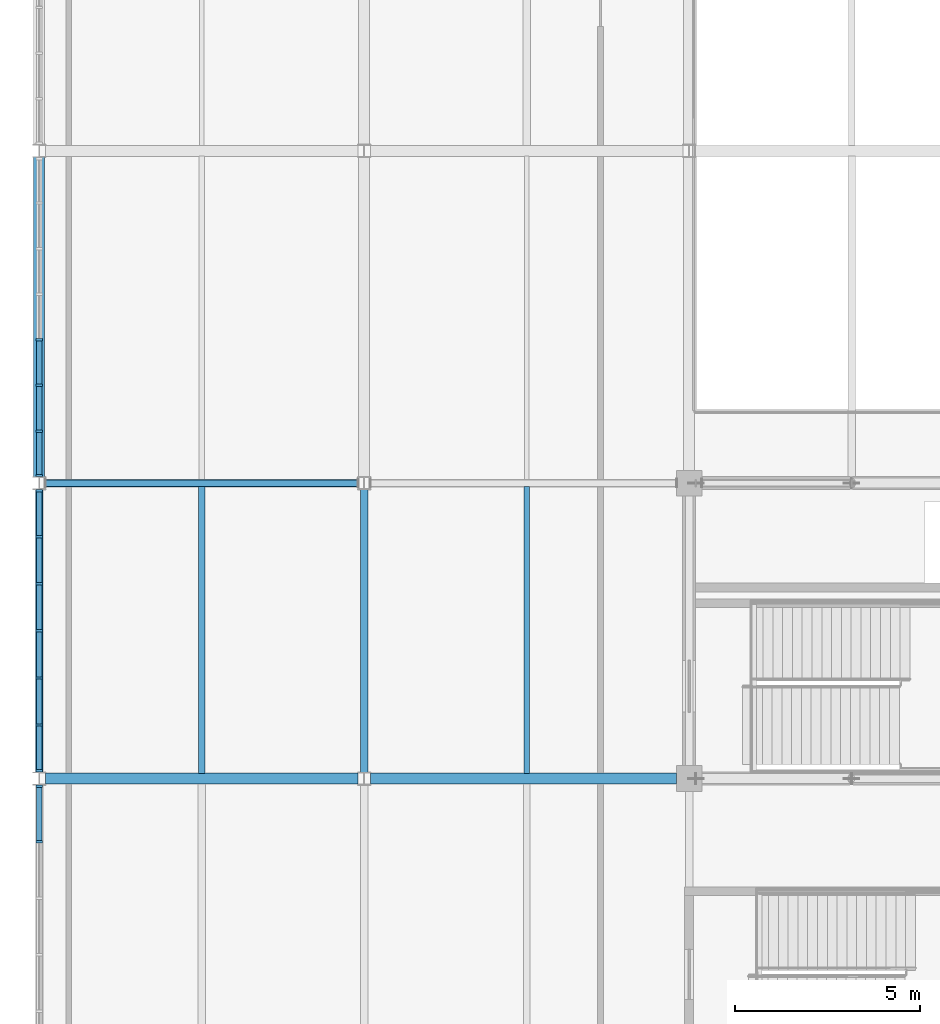
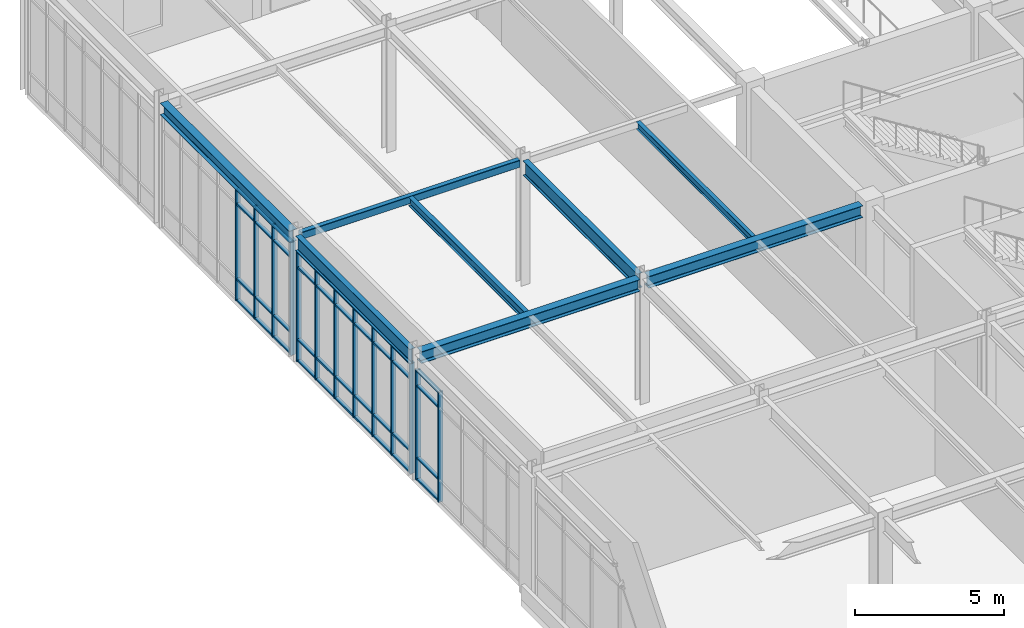
# One storey, part 63 of 184: 53 members, 8 beams, 3 elements without a shape of their own.
"""IFC4 building model written with IfcOpenShell, lengths in metres."""

from ifc_helpers import new_model, si_unit, direction, frame, origin, origin_2d, place, context, subcontext, project, spatial, rectangle, hollow_rectangle, i_section, extrude, material, material_profile, profile_set, type_object, element, aggregate, save


model = new_model("IFC4")

# Units and contexts
model_context = context("Model", 3, precision=1e-05, world=origin(), true_north=direction((0.0, 1.0)))
body_context = subcontext(model_context, "Body", "Model", "MODEL_VIEW")
ifc_project = project(units=[si_unit("LENGTHUNIT", "METRE"), si_unit("AREAUNIT", "SQUARE_METRE"), si_unit("VOLUMEUNIT", "CUBIC_METRE"), si_unit("PLANEANGLEUNIT", "RADIAN"), si_unit("MASSUNIT", "GRAM", prefix="KILO")], contexts=[model_context])

# Site, building, storey
site_placement = place(None, origin())
site = spatial("IfcSite", under=ifc_project, at=site_placement, CompositionType="ELEMENT")
building_placement = place(site_placement, origin())
building = spatial("IfcBuilding", under=site, at=building_placement, Name="Zhaolan Boulevard Law Courts", CompositionType="ELEMENT")
storey_placement = place(building_placement, frame((0.0, 0.0, 5.39990234375)))
storey = spatial("IfcBuildingStorey", under=building, at=storey_placement, Name="L01", CompositionType="ELEMENT", Elevation=5.39990234375)

# Curtain wall, members
ifc_material_1 = material(Name="Thermally broken aluminium and low-E glazing", Category="aluminium")
curtain_wall_type_1 = type_object("IfcCurtainWallType", Name="CURTAIN WALL M11", PredefinedType="USERDEFINED", material=ifc_material_1)
curtain_wall_1_placement = place(storey_placement, origin())
curtain_wall_1 = element("IfcCurtainWall", 1, at=curtain_wall_1_placement, inside=storey, type_object=curtain_wall_type_1, Name="Curtain Wall CW-L01-107", ObjectType="CURTAIN WALL", PredefinedType="USERDEFINED")
ifc_material_2 = material(Name="Fluorocarbon-coated aluminium 6063-T6", Category="aluminium")
ifc_material_profile_1 = material_profile(ifc_material_2, rectangle(XDim=0.179931640625, YDim=0.06494140625, at=origin_2d()), Name="AL65x180")
ifc_profile_set_1 = profile_set([ifc_material_profile_1], Name="Fluorocarbon-coated aluminium 6063-T6")
member_type_1 = type_object("IfcMemberType", Name="CWMULLION 65X180", PredefinedType="MULLION", material=ifc_profile_set_1)
member_1_placement = place(storey_placement, frame((0.0, 85.79052734375, 0.0), z_axis=(0.0, 0.0, 1.0), x_axis=(1.0, 0.0, 0.0)))
member_1 = element("IfcMember", 2, at=member_1_placement, type_object=member_type_1, Name="CW-L01-107 mullion 1", PredefinedType="MULLION", context=body_context, shape_type="SweptSolid", body=[
    extrude(rectangle(XDim=0.179931640625, YDim=0.06494140625, at=origin_2d()), origin(), (0.0, 0.0, 1.0), 4.503173828125),
])
member_2_placement = place(storey_placement, frame((0.0, 84.293701171875, 0.0), z_axis=(0.0, 0.0, 1.0), x_axis=(1.0, 0.0, 0.0)))
member_2 = element("IfcMember", 3, at=member_2_placement, type_object=member_type_1, Name="CW-L01-107 mullion 2", PredefinedType="MULLION", context=body_context, shape_type="SweptSolid", body=[
    extrude(rectangle(XDim=0.179931640625, YDim=0.06494140625, at=origin_2d()), origin(), (0.0, 0.0, 1.0), 4.503173828125),
])

ifc_material_3 = material(Name="Thermally broken aluminium and low-E glazing", Category="aluminium")
curtain_wall_type_2 = type_object("IfcCurtainWallType", Name="CURTAIN WALL M12", PredefinedType="USERDEFINED", material=ifc_material_3)
curtain_wall_2_placement = place(storey_placement, origin())
curtain_wall_2 = element("IfcCurtainWall", 4, at=curtain_wall_2_placement, inside=storey, type_object=curtain_wall_type_2, Name="Curtain Wall CW-L01-108", ObjectType="CURTAIN WALL", PredefinedType="USERDEFINED")
member_3_placement = place(storey_placement, frame((0.0, 93.79052734375, 0.0), z_axis=(0.0, 0.0, 1.0), x_axis=(1.0, 0.0, 0.0)))
member_3 = element("IfcMember", 5, at=member_3_placement, type_object=member_type_1, Name="CW-L01-108 mullion 1", PredefinedType="MULLION", context=body_context, shape_type="SweptSolid", body=[
    extrude(rectangle(XDim=0.179931640625, YDim=0.06494140625, at=origin_2d()), origin(), (0.0, 0.0, 1.0), 4.503173828125),
])
member_4_placement = place(storey_placement, frame((0.0, 92.548583984375, 0.0), z_axis=(0.0, 0.0, 1.0), x_axis=(1.0, 0.0, 0.0)))
member_4 = element("IfcMember", 6, at=member_4_placement, type_object=member_type_1, Name="CW-L01-108 mullion 2", PredefinedType="MULLION", context=body_context, shape_type="SweptSolid", body=[
    extrude(rectangle(XDim=0.179931640625, YDim=0.06494140625, at=origin_2d()), origin(), (0.0, 0.0, 1.0), 4.503173828125),
])
member_5_placement = place(storey_placement, frame((0.0, 91.2744140625, 0.0), z_axis=(0.0, 0.0, 1.0), x_axis=(1.0, 0.0, 0.0)))
member_5 = element("IfcMember", 7, at=member_5_placement, type_object=member_type_1, Name="CW-L01-108 mullion 3", PredefinedType="MULLION", context=body_context, shape_type="SweptSolid", body=[
    extrude(rectangle(XDim=0.179931640625, YDim=0.06494140625, at=origin_2d()), origin(), (0.0, 0.0, 1.0), 4.503173828125),
])
member_6_placement = place(storey_placement, frame((0.0, 90.0, 0.0), z_axis=(0.0, 0.0, 1.0), x_axis=(1.0, 0.0, 0.0)))
member_6 = element("IfcMember", 8, at=member_6_placement, type_object=member_type_1, Name="CW-L01-108 mullion 4", PredefinedType="MULLION", context=body_context, shape_type="SweptSolid", body=[
    extrude(rectangle(XDim=0.179931640625, YDim=0.06494140625, at=origin_2d()), origin(), (0.0, 0.0, 1.0), 4.503173828125),
])
member_7_placement = place(storey_placement, frame((0.0, 88.7255859375, 0.0), z_axis=(0.0, 0.0, 1.0), x_axis=(1.0, 0.0, 0.0)))
member_7 = element("IfcMember", 9, at=member_7_placement, type_object=member_type_1, Name="CW-L01-108 mullion 5", PredefinedType="MULLION", context=body_context, shape_type="SweptSolid", body=[
    extrude(rectangle(XDim=0.179931640625, YDim=0.06494140625, at=origin_2d()), origin(), (0.0, 0.0, 1.0), 4.503173828125),
])
member_8_placement = place(storey_placement, frame((0.0, 87.451416015625, 0.0), z_axis=(0.0, 0.0, 1.0), x_axis=(1.0, 0.0, 0.0)))
member_8 = element("IfcMember", 10, at=member_8_placement, type_object=member_type_1, Name="CW-L01-108 mullion 6", PredefinedType="MULLION", context=body_context, shape_type="SweptSolid", body=[
    extrude(rectangle(XDim=0.179931640625, YDim=0.06494140625, at=origin_2d()), origin(), (0.0, 0.0, 1.0), 4.503173828125),
])
member_9_placement = place(storey_placement, frame((0.0, 86.20947265625, 0.0), z_axis=(0.0, 0.0, 1.0), x_axis=(1.0, 0.0, 0.0)))
member_9 = element("IfcMember", 11, at=member_9_placement, type_object=member_type_1, Name="CW-L01-108 mullion 7", PredefinedType="MULLION", context=body_context, shape_type="SweptSolid", body=[
    extrude(rectangle(XDim=0.179931640625, YDim=0.06494140625, at=origin_2d()), origin(), (0.0, 0.0, 1.0), 4.503173828125),
])

ifc_material_4 = material(Name="Thermally broken aluminium and low-E glazing", Category="aluminium")
curtain_wall_type_3 = type_object("IfcCurtainWallType", Name="CURTAIN WALL M13", PredefinedType="USERDEFINED", material=ifc_material_4)
curtain_wall_3_placement = place(storey_placement, origin())
curtain_wall_3 = element("IfcCurtainWall", 12, at=curtain_wall_3_placement, inside=storey, type_object=curtain_wall_type_3, Name="Curtain Wall CW-L01-109", ObjectType="CURTAIN WALL", PredefinedType="USERDEFINED")
member_10_placement = place(storey_placement, frame((0.0, 97.88232421875, 0.0), z_axis=(0.0, 0.0, 1.0), x_axis=(1.0, 0.0, 0.0)))
member_10 = element("IfcMember", 13, at=member_10_placement, type_object=member_type_1, Name="CW-L01-109 mullion 5", PredefinedType="MULLION", context=body_context, shape_type="SweptSolid", body=[
    extrude(rectangle(XDim=0.179931640625, YDim=0.06494140625, at=origin_2d()), origin(), (0.0, 0.0, 1.0), 4.62109375),
])
member_11_placement = place(storey_placement, frame((0.0, 96.647216796875, 0.0), z_axis=(0.0, 0.0, 1.0), x_axis=(1.0, 0.0, 0.0)))
member_11 = element("IfcMember", 14, at=member_11_placement, type_object=member_type_1, Name="CW-L01-109 mullion 6", PredefinedType="MULLION", context=body_context, shape_type="SweptSolid", body=[
    extrude(rectangle(XDim=0.179931640625, YDim=0.06494140625, at=origin_2d()), origin(), (0.0, 0.0, 1.0), 4.62109375),
])
member_12_placement = place(storey_placement, frame((0.0, 95.412109375, 0.0), z_axis=(0.0, 0.0, 1.0), x_axis=(1.0, 0.0, 0.0)))
member_12 = element("IfcMember", 15, at=member_12_placement, type_object=member_type_1, Name="CW-L01-109 mullion 7", PredefinedType="MULLION", context=body_context, shape_type="SweptSolid", body=[
    extrude(rectangle(XDim=0.179931640625, YDim=0.06494140625, at=origin_2d()), origin(), (0.0, 0.0, 1.0), 4.62109375),
])
member_13_placement = place(storey_placement, frame((0.0, 94.20947265625, 0.0), z_axis=(0.0, 0.0, 1.0), x_axis=(1.0, 0.0, 0.0)))
member_13 = element("IfcMember", 16, at=member_13_placement, type_object=member_type_1, Name="CW-L01-109 mullion 8", PredefinedType="MULLION", context=body_context, shape_type="SweptSolid", body=[
    extrude(rectangle(XDim=0.179931640625, YDim=0.06494140625, at=origin_2d()), origin(), (0.0, 0.0, 1.0), 4.62109375),
])

# Member
ifc_material_5 = material(Name="Fluorocarbon-coated aluminium 6063-T6", Category="aluminium")
ifc_material_profile_2 = material_profile(ifc_material_5, rectangle(XDim=0.139892578125, YDim=0.06494140625, at=origin_2d()), Name="AL65x140")
ifc_profile_set_2 = profile_set([ifc_material_profile_2], Name="Fluorocarbon-coated aluminium 6063-T6")
member_type_2 = type_object("IfcMemberType", Name="CWTRANSOM 65X140", PredefinedType="USERDEFINED", material=ifc_profile_set_2)
member_14_placement = place(storey_placement, frame((0.0, 85.758056640625, 0.03271484375), z_axis=(0.0, -1.0, 0.0), x_axis=(1.0, 0.0, 0.0)))
member_14 = element("IfcMember", 17, at=member_14_placement, type_object=member_type_2, Name="CW-L01-107 transom 1.1", ObjectType="TRANSOM", PredefinedType="USERDEFINED", context=body_context, shape_type="SweptSolid", body=[
    extrude(rectangle(XDim=0.139892578125, YDim=0.06494140625, at=origin_2d()), origin(), (0.0, 0.0, 1.0), 1.431640625),
])

member_15_placement = place(storey_placement, frame((0.0, 85.758056640625, 0.900146484375), z_axis=(0.0, -1.0, 0.0), x_axis=(1.0, 0.0, 0.0)))
member_15 = element("IfcMember", 18, at=member_15_placement, type_object=member_type_2, Name="CW-L01-107 transom 1.2", ObjectType="TRANSOM", PredefinedType="USERDEFINED", context=body_context, shape_type="SweptSolid", body=[
    extrude(rectangle(XDim=0.139892578125, YDim=0.06494140625, at=origin_2d()), origin(), (0.0, 0.0, 1.0), 1.431640625),
])

member_16_placement = place(storey_placement, frame((0.0, 85.758056640625, 3.85302734375), z_axis=(0.0, -1.0, 0.0), x_axis=(1.0, 0.0, 0.0)))
member_16 = element("IfcMember", 19, at=member_16_placement, type_object=member_type_2, Name="CW-L01-107 transom 1.3", ObjectType="TRANSOM", PredefinedType="USERDEFINED", context=body_context, shape_type="SweptSolid", body=[
    extrude(rectangle(XDim=0.139892578125, YDim=0.06494140625, at=origin_2d()), origin(), (0.0, 0.0, 1.0), 1.431640625),
])

member_17_placement = place(storey_placement, frame((0.0, 85.758056640625, 4.470703125), z_axis=(0.0, -1.0, 0.0), x_axis=(1.0, 0.0, 0.0)))
member_17 = element("IfcMember", 20, at=member_17_placement, type_object=member_type_2, Name="CW-L01-107 transom 1.4", ObjectType="TRANSOM", PredefinedType="USERDEFINED", context=body_context, shape_type="SweptSolid", body=[
    extrude(rectangle(XDim=0.139892578125, YDim=0.06494140625, at=origin_2d()), origin(), (0.0, 0.0, 1.0), 1.431640625),
])

aggregate(curtain_wall_1, [member_1, member_2, member_14, member_15, member_16, member_17])

member_18_placement = place(storey_placement, frame((0.0, 93.758056640625, 0.03271484375), z_axis=(0.0, -1.0, 0.0), x_axis=(1.0, 0.0, 0.0)))
member_18 = element("IfcMember", 21, at=member_18_placement, type_object=member_type_2, Name="CW-L01-108 transom 1.1", ObjectType="TRANSOM", PredefinedType="USERDEFINED", context=body_context, shape_type="SweptSolid", body=[
    extrude(rectangle(XDim=0.139892578125, YDim=0.06494140625, at=origin_2d()), origin(), (0.0, 0.0, 1.0), 1.177001953125),
])

member_19_placement = place(storey_placement, frame((0.0, 93.758056640625, 0.900146484375), z_axis=(0.0, -1.0, 0.0), x_axis=(1.0, 0.0, 0.0)))
member_19 = element("IfcMember", 22, at=member_19_placement, type_object=member_type_2, Name="CW-L01-108 transom 1.2", ObjectType="TRANSOM", PredefinedType="USERDEFINED", context=body_context, shape_type="SweptSolid", body=[
    extrude(rectangle(XDim=0.139892578125, YDim=0.06494140625, at=origin_2d()), origin(), (0.0, 0.0, 1.0), 1.177001953125),
])

member_20_placement = place(storey_placement, frame((0.0, 93.758056640625, 3.85302734375), z_axis=(0.0, -1.0, 0.0), x_axis=(1.0, 0.0, 0.0)))
member_20 = element("IfcMember", 23, at=member_20_placement, type_object=member_type_2, Name="CW-L01-108 transom 1.3", ObjectType="TRANSOM", PredefinedType="USERDEFINED", context=body_context, shape_type="SweptSolid", body=[
    extrude(rectangle(XDim=0.139892578125, YDim=0.06494140625, at=origin_2d()), origin(), (0.0, 0.0, 1.0), 1.177001953125),
])

member_21_placement = place(storey_placement, frame((0.0, 93.758056640625, 4.470703125), z_axis=(0.0, -1.0, 0.0), x_axis=(1.0, 0.0, 0.0)))
member_21 = element("IfcMember", 24, at=member_21_placement, type_object=member_type_2, Name="CW-L01-108 transom 1.4", ObjectType="TRANSOM", PredefinedType="USERDEFINED", context=body_context, shape_type="SweptSolid", body=[
    extrude(rectangle(XDim=0.139892578125, YDim=0.06494140625, at=origin_2d()), origin(), (0.0, 0.0, 1.0), 1.177001953125),
])

member_22_placement = place(storey_placement, frame((0.0, 92.51611328125, 0.03271484375), z_axis=(0.0, -1.0, 0.0), x_axis=(1.0, 0.0, 0.0)))
member_22 = element("IfcMember", 25, at=member_22_placement, type_object=member_type_2, Name="CW-L01-108 transom 2.1", ObjectType="TRANSOM", PredefinedType="USERDEFINED", context=body_context, shape_type="SweptSolid", body=[
    extrude(rectangle(XDim=0.139892578125, YDim=0.06494140625, at=origin_2d()), origin(), (0.0, 0.0, 1.0), 1.209228515625),
])

member_23_placement = place(storey_placement, frame((0.0, 92.51611328125, 0.900146484375), z_axis=(0.0, -1.0, 0.0), x_axis=(1.0, 0.0, 0.0)))
member_23 = element("IfcMember", 26, at=member_23_placement, type_object=member_type_2, Name="CW-L01-108 transom 2.2", ObjectType="TRANSOM", PredefinedType="USERDEFINED", context=body_context, shape_type="SweptSolid", body=[
    extrude(rectangle(XDim=0.139892578125, YDim=0.06494140625, at=origin_2d()), origin(), (0.0, 0.0, 1.0), 1.209228515625),
])

member_24_placement = place(storey_placement, frame((0.0, 92.51611328125, 3.85302734375), z_axis=(0.0, -1.0, 0.0), x_axis=(1.0, 0.0, 0.0)))
member_24 = element("IfcMember", 27, at=member_24_placement, type_object=member_type_2, Name="CW-L01-108 transom 2.3", ObjectType="TRANSOM", PredefinedType="USERDEFINED", context=body_context, shape_type="SweptSolid", body=[
    extrude(rectangle(XDim=0.139892578125, YDim=0.06494140625, at=origin_2d()), origin(), (0.0, 0.0, 1.0), 1.209228515625),
])

member_25_placement = place(storey_placement, frame((0.0, 92.51611328125, 4.470703125), z_axis=(0.0, -1.0, 0.0), x_axis=(1.0, 0.0, 0.0)))
member_25 = element("IfcMember", 28, at=member_25_placement, type_object=member_type_2, Name="CW-L01-108 transom 2.4", ObjectType="TRANSOM", PredefinedType="USERDEFINED", context=body_context, shape_type="SweptSolid", body=[
    extrude(rectangle(XDim=0.139892578125, YDim=0.06494140625, at=origin_2d()), origin(), (0.0, 0.0, 1.0), 1.209228515625),
])

member_26_placement = place(storey_placement, frame((0.0, 91.241943359375, 0.03271484375), z_axis=(0.0, -1.0, 0.0), x_axis=(1.0, 0.0, 0.0)))
member_26 = element("IfcMember", 29, at=member_26_placement, type_object=member_type_2, Name="CW-L01-108 transom 3.1", ObjectType="TRANSOM", PredefinedType="USERDEFINED", context=body_context, shape_type="SweptSolid", body=[
    extrude(rectangle(XDim=0.139892578125, YDim=0.06494140625, at=origin_2d()), origin(), (0.0, 0.0, 1.0), 1.20947265625),
])

member_27_placement = place(storey_placement, frame((0.0, 91.241943359375, 0.900146484375), z_axis=(0.0, -1.0, 0.0), x_axis=(1.0, 0.0, 0.0)))
member_27 = element("IfcMember", 30, at=member_27_placement, type_object=member_type_2, Name="CW-L01-108 transom 3.2", ObjectType="TRANSOM", PredefinedType="USERDEFINED", context=body_context, shape_type="SweptSolid", body=[
    extrude(rectangle(XDim=0.139892578125, YDim=0.06494140625, at=origin_2d()), origin(), (0.0, 0.0, 1.0), 1.20947265625),
])

member_28_placement = place(storey_placement, frame((0.0, 91.241943359375, 3.85302734375), z_axis=(0.0, -1.0, 0.0), x_axis=(1.0, 0.0, 0.0)))
member_28 = element("IfcMember", 31, at=member_28_placement, type_object=member_type_2, Name="CW-L01-108 transom 3.3", ObjectType="TRANSOM", PredefinedType="USERDEFINED", context=body_context, shape_type="SweptSolid", body=[
    extrude(rectangle(XDim=0.139892578125, YDim=0.06494140625, at=origin_2d()), origin(), (0.0, 0.0, 1.0), 1.20947265625),
])

member_29_placement = place(storey_placement, frame((0.0, 91.241943359375, 4.470703125), z_axis=(0.0, -1.0, 0.0), x_axis=(1.0, 0.0, 0.0)))
member_29 = element("IfcMember", 32, at=member_29_placement, type_object=member_type_2, Name="CW-L01-108 transom 3.4", ObjectType="TRANSOM", PredefinedType="USERDEFINED", context=body_context, shape_type="SweptSolid", body=[
    extrude(rectangle(XDim=0.139892578125, YDim=0.06494140625, at=origin_2d()), origin(), (0.0, 0.0, 1.0), 1.20947265625),
])

member_30_placement = place(storey_placement, frame((0.0, 89.967529296875, 0.03271484375), z_axis=(0.0, -1.0, 0.0), x_axis=(1.0, 0.0, 0.0)))
member_30 = element("IfcMember", 33, at=member_30_placement, type_object=member_type_2, Name="CW-L01-108 transom 4.1", ObjectType="TRANSOM", PredefinedType="USERDEFINED", context=body_context, shape_type="SweptSolid", body=[
    extrude(rectangle(XDim=0.139892578125, YDim=0.06494140625, at=origin_2d()), origin(), (0.0, 0.0, 1.0), 1.20947265625),
])

member_31_placement = place(storey_placement, frame((0.0, 89.967529296875, 0.900146484375), z_axis=(0.0, -1.0, 0.0), x_axis=(1.0, 0.0, 0.0)))
member_31 = element("IfcMember", 34, at=member_31_placement, type_object=member_type_2, Name="CW-L01-108 transom 4.2", ObjectType="TRANSOM", PredefinedType="USERDEFINED", context=body_context, shape_type="SweptSolid", body=[
    extrude(rectangle(XDim=0.139892578125, YDim=0.06494140625, at=origin_2d()), origin(), (0.0, 0.0, 1.0), 1.20947265625),
])

member_32_placement = place(storey_placement, frame((0.0, 89.967529296875, 3.85302734375), z_axis=(0.0, -1.0, 0.0), x_axis=(1.0, 0.0, 0.0)))
member_32 = element("IfcMember", 35, at=member_32_placement, type_object=member_type_2, Name="CW-L01-108 transom 4.3", ObjectType="TRANSOM", PredefinedType="USERDEFINED", context=body_context, shape_type="SweptSolid", body=[
    extrude(rectangle(XDim=0.139892578125, YDim=0.06494140625, at=origin_2d()), origin(), (0.0, 0.0, 1.0), 1.20947265625),
])

member_33_placement = place(storey_placement, frame((0.0, 89.967529296875, 4.470703125), z_axis=(0.0, -1.0, 0.0), x_axis=(1.0, 0.0, 0.0)))
member_33 = element("IfcMember", 36, at=member_33_placement, type_object=member_type_2, Name="CW-L01-108 transom 4.4", ObjectType="TRANSOM", PredefinedType="USERDEFINED", context=body_context, shape_type="SweptSolid", body=[
    extrude(rectangle(XDim=0.139892578125, YDim=0.06494140625, at=origin_2d()), origin(), (0.0, 0.0, 1.0), 1.20947265625),
])

member_34_placement = place(storey_placement, frame((0.0, 88.693115234375, 0.03271484375), z_axis=(0.0, -1.0, 0.0), x_axis=(1.0, 0.0, 0.0)))
member_34 = element("IfcMember", 37, at=member_34_placement, type_object=member_type_2, Name="CW-L01-108 transom 5.1", ObjectType="TRANSOM", PredefinedType="USERDEFINED", context=body_context, shape_type="SweptSolid", body=[
    extrude(rectangle(XDim=0.139892578125, YDim=0.06494140625, at=origin_2d()), origin(), (0.0, 0.0, 1.0), 1.209228515625),
])

member_35_placement = place(storey_placement, frame((0.0, 88.693115234375, 0.900146484375), z_axis=(0.0, -1.0, 0.0), x_axis=(1.0, 0.0, 0.0)))
member_35 = element("IfcMember", 38, at=member_35_placement, type_object=member_type_2, Name="CW-L01-108 transom 5.2", ObjectType="TRANSOM", PredefinedType="USERDEFINED", context=body_context, shape_type="SweptSolid", body=[
    extrude(rectangle(XDim=0.139892578125, YDim=0.06494140625, at=origin_2d()), origin(), (0.0, 0.0, 1.0), 1.209228515625),
])

member_36_placement = place(storey_placement, frame((0.0, 88.693115234375, 3.85302734375), z_axis=(0.0, -1.0, 0.0), x_axis=(1.0, 0.0, 0.0)))
member_36 = element("IfcMember", 39, at=member_36_placement, type_object=member_type_2, Name="CW-L01-108 transom 5.3", ObjectType="TRANSOM", PredefinedType="USERDEFINED", context=body_context, shape_type="SweptSolid", body=[
    extrude(rectangle(XDim=0.139892578125, YDim=0.06494140625, at=origin_2d()), origin(), (0.0, 0.0, 1.0), 1.209228515625),
])

member_37_placement = place(storey_placement, frame((0.0, 88.693115234375, 4.470703125), z_axis=(0.0, -1.0, 0.0), x_axis=(1.0, 0.0, 0.0)))
member_37 = element("IfcMember", 40, at=member_37_placement, type_object=member_type_2, Name="CW-L01-108 transom 5.4", ObjectType="TRANSOM", PredefinedType="USERDEFINED", context=body_context, shape_type="SweptSolid", body=[
    extrude(rectangle(XDim=0.139892578125, YDim=0.06494140625, at=origin_2d()), origin(), (0.0, 0.0, 1.0), 1.209228515625),
])

member_38_placement = place(storey_placement, frame((0.0, 87.4189453125, 0.03271484375), z_axis=(0.0, -1.0, 0.0), x_axis=(1.0, 0.0, 0.0)))
member_38 = element("IfcMember", 41, at=member_38_placement, type_object=member_type_2, Name="CW-L01-108 transom 6.1", ObjectType="TRANSOM", PredefinedType="USERDEFINED", context=body_context, shape_type="SweptSolid", body=[
    extrude(rectangle(XDim=0.139892578125, YDim=0.06494140625, at=origin_2d()), origin(), (0.0, 0.0, 1.0), 1.177001953125),
])

member_39_placement = place(storey_placement, frame((0.0, 87.4189453125, 0.900146484375), z_axis=(0.0, -1.0, 0.0), x_axis=(1.0, 0.0, 0.0)))
member_39 = element("IfcMember", 42, at=member_39_placement, type_object=member_type_2, Name="CW-L01-108 transom 6.2", ObjectType="TRANSOM", PredefinedType="USERDEFINED", context=body_context, shape_type="SweptSolid", body=[
    extrude(rectangle(XDim=0.139892578125, YDim=0.06494140625, at=origin_2d()), origin(), (0.0, 0.0, 1.0), 1.177001953125),
])

member_40_placement = place(storey_placement, frame((0.0, 87.4189453125, 3.85302734375), z_axis=(0.0, -1.0, 0.0), x_axis=(1.0, 0.0, 0.0)))
member_40 = element("IfcMember", 43, at=member_40_placement, type_object=member_type_2, Name="CW-L01-108 transom 6.3", ObjectType="TRANSOM", PredefinedType="USERDEFINED", context=body_context, shape_type="SweptSolid", body=[
    extrude(rectangle(XDim=0.139892578125, YDim=0.06494140625, at=origin_2d()), origin(), (0.0, 0.0, 1.0), 1.177001953125),
])

member_41_placement = place(storey_placement, frame((0.0, 87.4189453125, 4.470703125), z_axis=(0.0, -1.0, 0.0), x_axis=(1.0, 0.0, 0.0)))
member_41 = element("IfcMember", 44, at=member_41_placement, type_object=member_type_2, Name="CW-L01-108 transom 6.4", ObjectType="TRANSOM", PredefinedType="USERDEFINED", context=body_context, shape_type="SweptSolid", body=[
    extrude(rectangle(XDim=0.139892578125, YDim=0.06494140625, at=origin_2d()), origin(), (0.0, 0.0, 1.0), 1.177001953125),
])

aggregate(curtain_wall_2, [member_3, member_4, member_5, member_6, member_7, member_8, member_9, member_18, member_19, member_20, member_21, member_22, member_23, member_24, member_25, member_26, member_27, member_28, member_29, member_30, member_31, member_32, member_33, member_34, member_35, member_36, member_37, member_38, member_39, member_40, member_41])

member_42_placement = place(storey_placement, frame((0.0, 97.849853515625, 0.03271484375), z_axis=(0.0, -1.0, 0.0), x_axis=(1.0, 0.0, 0.0)))
member_42 = element("IfcMember", 45, at=member_42_placement, type_object=member_type_2, Name="CW-L01-109 transom 5.1", ObjectType="TRANSOM", PredefinedType="USERDEFINED", context=body_context, shape_type="SweptSolid", body=[
    extrude(rectangle(XDim=0.139892578125, YDim=0.06494140625, at=origin_2d()), origin(), (0.0, 0.0, 1.0), 1.170166015625),
])

member_43_placement = place(storey_placement, frame((0.0, 97.849853515625, 0.900146484375), z_axis=(0.0, -1.0, 0.0), x_axis=(1.0, 0.0, 0.0)))
member_43 = element("IfcMember", 46, at=member_43_placement, type_object=member_type_2, Name="CW-L01-109 transom 5.2", ObjectType="TRANSOM", PredefinedType="USERDEFINED", context=body_context, shape_type="SweptSolid", body=[
    extrude(rectangle(XDim=0.139892578125, YDim=0.06494140625, at=origin_2d()), origin(), (0.0, 0.0, 1.0), 1.170166015625),
])

member_44_placement = place(storey_placement, frame((0.0, 97.849853515625, 3.97119140625), z_axis=(0.0, -1.0, 0.0), x_axis=(1.0, 0.0, 0.0)))
member_44 = element("IfcMember", 47, at=member_44_placement, type_object=member_type_2, Name="CW-L01-109 transom 5.3", ObjectType="TRANSOM", PredefinedType="USERDEFINED", context=body_context, shape_type="SweptSolid", body=[
    extrude(rectangle(XDim=0.139892578125, YDim=0.06494140625, at=origin_2d()), origin(), (0.0, 0.0, 1.0), 1.170166015625),
])

member_45_placement = place(storey_placement, frame((0.0, 97.849853515625, 4.588623046875), z_axis=(0.0, -1.0, 0.0), x_axis=(1.0, 0.0, 0.0)))
member_45 = element("IfcMember", 48, at=member_45_placement, type_object=member_type_2, Name="CW-L01-109 transom 5.4", ObjectType="TRANSOM", PredefinedType="USERDEFINED", context=body_context, shape_type="SweptSolid", body=[
    extrude(rectangle(XDim=0.139892578125, YDim=0.06494140625, at=origin_2d()), origin(), (0.0, 0.0, 1.0), 1.170166015625),
])

member_46_placement = place(storey_placement, frame((0.0, 96.61474609375, 0.03271484375), z_axis=(0.0, -1.0, 0.0), x_axis=(1.0, 0.0, 0.0)))
member_46 = element("IfcMember", 49, at=member_46_placement, type_object=member_type_2, Name="CW-L01-109 transom 6.1", ObjectType="TRANSOM", PredefinedType="USERDEFINED", context=body_context, shape_type="SweptSolid", body=[
    extrude(rectangle(XDim=0.139892578125, YDim=0.06494140625, at=origin_2d()), origin(), (0.0, 0.0, 1.0), 1.170166015625),
])

member_47_placement = place(storey_placement, frame((0.0, 96.61474609375, 0.900146484375), z_axis=(0.0, -1.0, 0.0), x_axis=(1.0, 0.0, 0.0)))
member_47 = element("IfcMember", 50, at=member_47_placement, type_object=member_type_2, Name="CW-L01-109 transom 6.2", ObjectType="TRANSOM", PredefinedType="USERDEFINED", context=body_context, shape_type="SweptSolid", body=[
    extrude(rectangle(XDim=0.139892578125, YDim=0.06494140625, at=origin_2d()), origin(), (0.0, 0.0, 1.0), 1.170166015625),
])

member_48_placement = place(storey_placement, frame((0.0, 96.61474609375, 3.97119140625), z_axis=(0.0, -1.0, 0.0), x_axis=(1.0, 0.0, 0.0)))
member_48 = element("IfcMember", 51, at=member_48_placement, type_object=member_type_2, Name="CW-L01-109 transom 6.3", ObjectType="TRANSOM", PredefinedType="USERDEFINED", context=body_context, shape_type="SweptSolid", body=[
    extrude(rectangle(XDim=0.139892578125, YDim=0.06494140625, at=origin_2d()), origin(), (0.0, 0.0, 1.0), 1.170166015625),
])

member_49_placement = place(storey_placement, frame((0.0, 96.61474609375, 4.588623046875), z_axis=(0.0, -1.0, 0.0), x_axis=(1.0, 0.0, 0.0)))
member_49 = element("IfcMember", 52, at=member_49_placement, type_object=member_type_2, Name="CW-L01-109 transom 6.4", ObjectType="TRANSOM", PredefinedType="USERDEFINED", context=body_context, shape_type="SweptSolid", body=[
    extrude(rectangle(XDim=0.139892578125, YDim=0.06494140625, at=origin_2d()), origin(), (0.0, 0.0, 1.0), 1.170166015625),
])

member_50_placement = place(storey_placement, frame((0.0, 95.379638671875, 0.03271484375), z_axis=(0.0, -1.0, 0.0), x_axis=(1.0, 0.0, 0.0)))
member_50 = element("IfcMember", 53, at=member_50_placement, type_object=member_type_2, Name="CW-L01-109 transom 7.1", ObjectType="TRANSOM", PredefinedType="USERDEFINED", context=body_context, shape_type="SweptSolid", body=[
    extrude(rectangle(XDim=0.139892578125, YDim=0.06494140625, at=origin_2d()), origin(), (0.0, 0.0, 1.0), 1.1376953125),
])

member_51_placement = place(storey_placement, frame((0.0, 95.379638671875, 0.900146484375), z_axis=(0.0, -1.0, 0.0), x_axis=(1.0, 0.0, 0.0)))
member_51 = element("IfcMember", 54, at=member_51_placement, type_object=member_type_2, Name="CW-L01-109 transom 7.2", ObjectType="TRANSOM", PredefinedType="USERDEFINED", context=body_context, shape_type="SweptSolid", body=[
    extrude(rectangle(XDim=0.139892578125, YDim=0.06494140625, at=origin_2d()), origin(), (0.0, 0.0, 1.0), 1.1376953125),
])

member_52_placement = place(storey_placement, frame((0.0, 95.379638671875, 3.97119140625), z_axis=(0.0, -1.0, 0.0), x_axis=(1.0, 0.0, 0.0)))
member_52 = element("IfcMember", 55, at=member_52_placement, type_object=member_type_2, Name="CW-L01-109 transom 7.3", ObjectType="TRANSOM", PredefinedType="USERDEFINED", context=body_context, shape_type="SweptSolid", body=[
    extrude(rectangle(XDim=0.139892578125, YDim=0.06494140625, at=origin_2d()), origin(), (0.0, 0.0, 1.0), 1.1376953125),
])

member_53_placement = place(storey_placement, frame((0.0, 95.379638671875, 4.588623046875), z_axis=(0.0, -1.0, 0.0), x_axis=(1.0, 0.0, 0.0)))
member_53 = element("IfcMember", 56, at=member_53_placement, type_object=member_type_2, Name="CW-L01-109 transom 7.4", ObjectType="TRANSOM", PredefinedType="USERDEFINED", context=body_context, shape_type="SweptSolid", body=[
    extrude(rectangle(XDim=0.139892578125, YDim=0.06494140625, at=origin_2d()), origin(), (0.0, 0.0, 1.0), 1.1376953125),
])

aggregate(curtain_wall_3, [member_10, member_11, member_12, member_13, member_42, member_43, member_44, member_45, member_46, member_47, member_48, member_49, member_50, member_51, member_52, member_53])

# Beams
ifc_material_6 = material(Name="Structural steel Q355B", Category="steel")
ifc_material_profile_3 = material_profile(ifc_material_6, i_section(OverallWidth=0.300048828125, OverallDepth=0.48193359375, WebThickness=0.010986328125, FlangeThickness=0.014892578125, FilletRadius=0.02197265625, at=origin_2d()), Name="HM482x300")
ifc_profile_set_3 = profile_set([ifc_material_profile_3], Name="Structural steel Q355B")
beam_type_1 = type_object("IfcBeamType", Name="GIRDER HM488", PredefinedType="BEAM", material=ifc_profile_set_3)
beam_1_placement = place(storey_placement, frame((0.0, 94.1708984375, 4.877197265625), z_axis=(0.0, 1.0, 0.0), x_axis=(-1.0, 0.0, 0.0)))
element("IfcBeam", 57, at=beam_1_placement, inside=storey, type_object=beam_type_1, Name="Beam BY-L02-1-N-P", PredefinedType="BEAM", context=body_context, shape_type="SweptSolid", body=[
    extrude(i_section(OverallWidth=0.300048828125, OverallDepth=0.48193359375, WebThickness=0.010986328125, FlangeThickness=0.014892578125, FilletRadius=0.02197265625, at=origin_2d()), origin(), (0.0, 0.0, 1.0), 8.658203125),
])
ifc_material_7 = material(Name="Structural steel Q355B", Category="steel")
ifc_material_profile_4 = material_profile(ifc_material_7, i_section(OverallWidth=0.300048828125, OverallDepth=0.488037109375, WebThickness=0.010986328125, FlangeThickness=0.01806640625, FilletRadius=0.02197265625, at=origin_2d()), Name="HM488x300")
ifc_profile_set_4 = profile_set([ifc_material_profile_4], Name="Structural steel Q355B")
beam_type_2 = type_object("IfcBeamType", Name="GIRDER HM500", PredefinedType="BEAM", material=ifc_profile_set_4)
beam_2_placement = place(storey_placement, frame((0.1708984375, 86.0, 4.8740234375), z_axis=(1.0, 0.0, 0.0), x_axis=(0.0, 1.0, 0.0)))
element("IfcBeam", 58, at=beam_2_placement, inside=storey, type_object=beam_type_2, Name="Beam BX-L02-1-2-M", PredefinedType="BEAM", context=body_context, shape_type="SweptSolid", body=[
    extrude(i_section(OverallWidth=0.300048828125, OverallDepth=0.488037109375, WebThickness=0.010986328125, FlangeThickness=0.01806640625, FilletRadius=0.02197265625, at=origin_2d()), origin(), (0.0, 0.0, 1.0), 8.4580078125),
])
beam_3_placement = place(storey_placement, frame((8.970947265625, 86.0, 4.8740234375), z_axis=(1.0, 0.0, 0.0), x_axis=(0.0, 1.0, 0.0)))
element("IfcBeam", 59, at=beam_3_placement, inside=storey, type_object=beam_type_2, Name="Beam BX-L02-2-3-M", PredefinedType="BEAM", context=body_context, shape_type="SweptSolid", body=[
    extrude(i_section(OverallWidth=0.300048828125, OverallDepth=0.488037109375, WebThickness=0.010986328125, FlangeThickness=0.01806640625, FilletRadius=0.02197265625, at=origin_2d()), origin(), (0.0, 0.0, 1.0), 8.282958984375),
])
ifc_material_8 = material(Name="Structural steel Q355B", Category="steel")
ifc_material_profile_5 = material_profile(ifc_material_8, i_section(OverallWidth=0.199951171875, OverallDepth=0.60009765625, WebThickness=0.010986328125, FlangeThickness=0.01708984375, FilletRadius=0.02001953125, at=origin_2d()), Name="HN600x200")
ifc_profile_set_5 = profile_set([ifc_material_profile_5], Name="Structural steel Q355B")
beam_type_3 = type_object("IfcBeamType", Name="GIRDER HN600", PredefinedType="BEAM", material=ifc_profile_set_5)
for number, where, z_axis, x_axis, name in (
    (60, (0.0, 86.1708984375, 4.818115234375), (0.0, 1.0, 0.0), (-1.0, 0.0, 0.0), "Beam BY-L02-1-M-N"),
    (61, (8.800048828125, 86.1708984375, 4.818115234375), (0.0, 1.0, 0.0), (-1.0, 0.0, 0.0), "Beam BY-L02-2-M-N"),
):
    element("IfcBeam", number, at=place(storey_placement, frame(where, z_axis=z_axis, x_axis=x_axis)), inside=storey, type_object=beam_type_3, Name=name, PredefinedType="BEAM", context=body_context, shape_type="SweptSolid", body=[
        extrude(i_section(OverallWidth=0.199951171875, OverallDepth=0.60009765625, WebThickness=0.010986328125, FlangeThickness=0.01708984375, FilletRadius=0.02001953125, at=origin_2d()), origin(), (0.0, 0.0, 1.0), 7.658203125),
    ])
ifc_material_9 = material(Name="Structural steel Q355B", Category="steel")
ifc_material_profile_6 = material_profile(ifc_material_9, i_section(OverallWidth=0.14990234375, OverallDepth=0.300048828125, WebThickness=0.006591796875, FlangeThickness=0.009033203125, FilletRadius=0.010986328125, at=origin_2d()), Name="HN300x150")
ifc_profile_set_6 = profile_set([ifc_material_profile_6], Name="Structural steel Q355B")
beam_type_4 = type_object("IfcBeamType", Name="JOIST HN300", PredefinedType="JOIST", material=ifc_profile_set_6)
beam_4_placement = place(storey_placement, frame((13.199951171875, 86.14599609375, 4.968017578125), z_axis=(0.0, 1.0, 0.0), x_axis=(-1.0, 0.0, 0.0)))
element("IfcBeam", 62, at=beam_4_placement, inside=storey, type_object=beam_type_4, Name="Composite Joist J-L02-2M", PredefinedType="JOIST", context=body_context, shape_type="SweptSolid", body=[
    extrude(i_section(OverallWidth=0.14990234375, OverallDepth=0.300048828125, WebThickness=0.006591796875, FlangeThickness=0.009033203125, FilletRadius=0.010986328125, at=origin_2d()), origin(), (0.0, 0.0, 1.0), 7.758056640625),
])
ifc_material_10 = material(Name="Structural steel Q355B", Category="steel")
ifc_material_profile_7 = material_profile(ifc_material_10, i_section(OverallWidth=0.175048828125, OverallDepth=0.35009765625, WebThickness=0.007080078125, FlangeThickness=0.010986328125, FilletRadius=0.012939453125, at=origin_2d()), Name="HN350x175")
ifc_profile_set_7 = profile_set([ifc_material_profile_7], Name="Structural steel Q355B")
beam_type_5 = type_object("IfcBeamType", Name="JOIST HN350", PredefinedType="JOIST", material=ifc_profile_set_7)
beam_5_placement = place(storey_placement, frame((4.39990234375, 86.14599609375, 4.943115234375), z_axis=(0.0, 1.0, 0.0), x_axis=(-1.0, 0.0, 0.0)))
element("IfcBeam", 63, at=beam_5_placement, inside=storey, type_object=beam_type_5, Name="Composite Joist J-L02-1M", PredefinedType="JOIST", context=body_context, shape_type="SweptSolid", body=[
    extrude(i_section(OverallWidth=0.175048828125, OverallDepth=0.35009765625, WebThickness=0.007080078125, FlangeThickness=0.010986328125, FilletRadius=0.012939453125, at=origin_2d()), origin(), (0.0, 0.0, 1.0), 7.758056640625),
])
ifc_material_11 = material(Name="Structural steel Q355B", Category="steel")
ifc_material_profile_8 = material_profile(ifc_material_11, hollow_rectangle(XDim=0.199951171875, YDim=0.300048828125, WallThickness=0.011962890625, InnerFilletRadius=0.011962890625, OuterFilletRadius=0.02392578125, at=origin_2d()), Name="HSS300x200x12")
ifc_profile_set_8 = profile_set([ifc_material_profile_8], Name="Structural steel Q355B")
beam_type_6 = type_object("IfcBeamType", Name="SPANDREL HSS300", PredefinedType="SPANDREL", material=ifc_profile_set_8)
beam_6_placement = place(storey_placement, frame((0.1708984375, 94.0, 4.968017578125), z_axis=(1.0, 0.0, 0.0), x_axis=(0.0, 1.0, 0.0)))
element("IfcBeam", 64, at=beam_6_placement, inside=storey, type_object=beam_type_6, Name="Beam BX-L02-1-2-N", PredefinedType="SPANDREL", context=body_context, shape_type="SweptSolid", body=[
    extrude(hollow_rectangle(XDim=0.199951171875, YDim=0.300048828125, WallThickness=0.011962890625, InnerFilletRadius=0.011962890625, OuterFilletRadius=0.02392578125, at=origin_2d()), origin(), (0.0, 0.0, 1.0), 8.4580078125),
])

save(model, "model.ifc")
